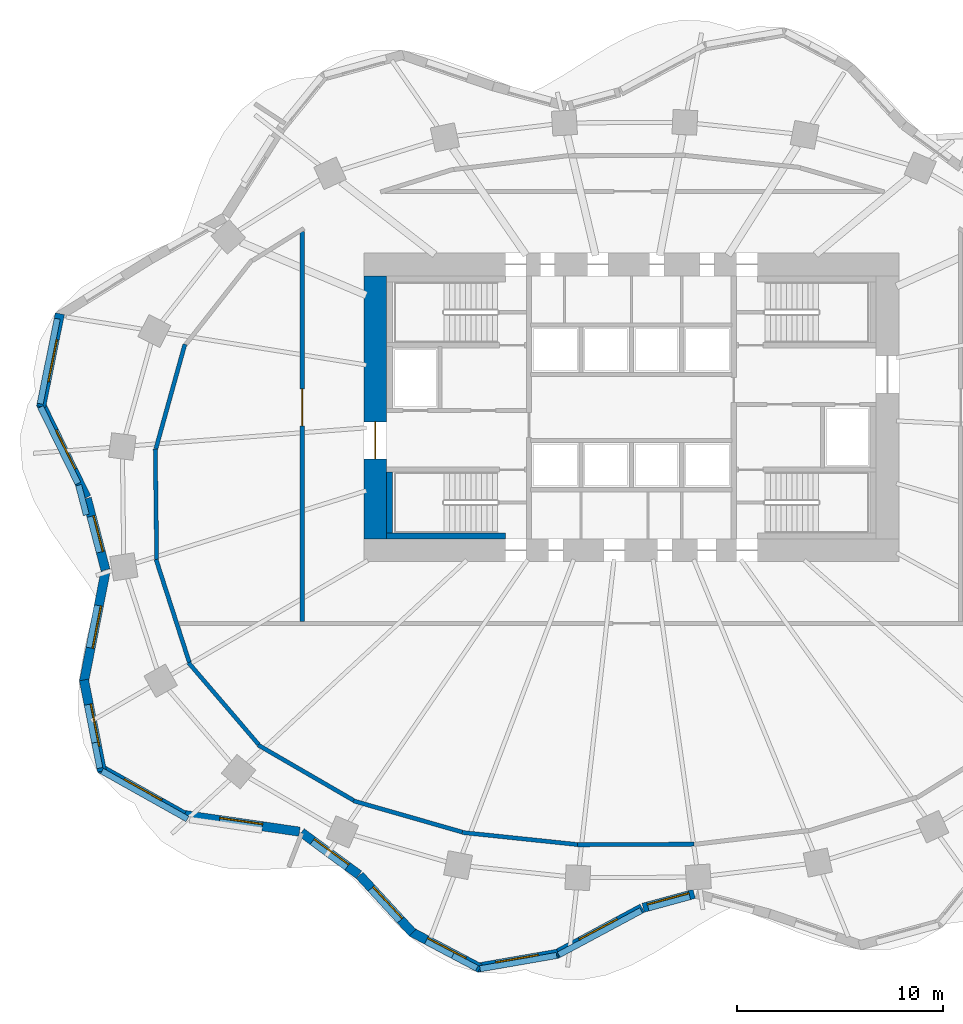
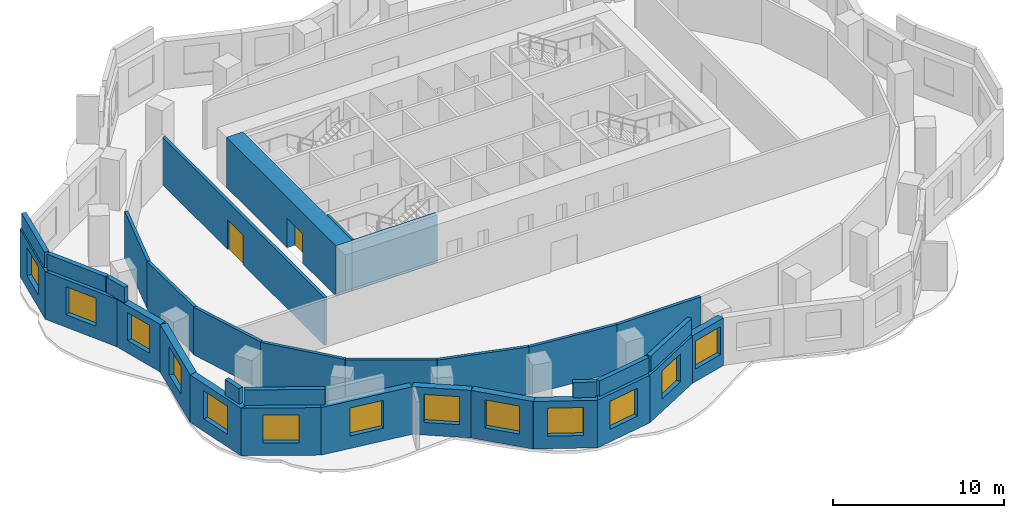
# One storey, part 3 of 8: 33 walls, 13 windows, 2 doors, 15 openings.
"""IFC4 building model written with IfcOpenShell, lengths in metres."""

from ifc_helpers import new_model, si_unit, direction, frame, frame_2d, origin, place, context, subcontext, project, spatial, rectangle, extrude, material, layer, layer_set, type_object, element, fill, save


model = new_model("IFC4")

# Units and contexts
model_context = context("Model", 3, precision=1e-05, world=origin(), true_north=direction((0.0, 1.0)))
body_context = subcontext(model_context, "Body", "Model", "MODEL_VIEW")
ifc_project = project(units=[si_unit("LENGTHUNIT", "METRE"), si_unit("AREAUNIT", "SQUARE_METRE"), si_unit("VOLUMEUNIT", "CUBIC_METRE"), si_unit("PLANEANGLEUNIT", "RADIAN"), si_unit("MASSUNIT", "GRAM", prefix="KILO")], contexts=[model_context])

# Site, building, storey
site_placement = place(None, origin())
site = spatial("IfcSite", under=ifc_project, at=site_placement, CompositionType="ELEMENT")
building_placement = place(site_placement, origin())
building = spatial("IfcBuilding", under=site, at=building_placement, Name="Rubra Terraces Tower", CompositionType="ELEMENT")
storey_placement = place(building_placement, frame((0.0, 0.0, 106.800048828125)))
storey = spatial("IfcBuildingStorey", under=building, at=storey_placement, Name="L25", CompositionType="ELEMENT", Elevation=106.800048828125)

# Wall, opening, window
ifc_material_1 = material(Name="Brick masonry red-brown", Category="masonry")
ifc_layer_1 = layer(ifc_material_1, 0.449951171875)
ifc_layer_set_1 = layer_set([ifc_layer_1], Name="Brick masonry red-brown")
wall_type_1 = type_object("IfcWallType", Name="Brick facade wall 450", PredefinedType="SOLIDWALL", material=ifc_layer_set_1)
wall_1_placement = place(storey_placement, frame((-27.779541015625, 9.053466796875, 0.0), z_axis=(0.0, 0.0, 1.0), x_axis=(-0.197796229105, -0.980243159503, 0.0)))
wall_1 = element("IfcWall", 1, at=wall_1_placement, inside=storey, type_object=wall_type_1, Name="Facade wall L25 bay 19", PredefinedType="SOLIDWALL", context=body_context, shape_type="SweptSolid", body=[
    extrude(rectangle(XDim=4.610107421875, YDim=0.449951171875, at=frame_2d((2.30517578125, 0.0))), origin(), (0.0, 0.0, 1.0), 3.39990234375),
])
opening_1_placement = place(wall_1_placement, frame((1.255126953125, 0.0, 0.89990234375)))
opening_1 = element("IfcOpeningElement", 2, at=opening_1_placement, cuts=wall_1, Name="Opening W1", PredefinedType="OPENING", context=body_context, shape_type="SweptSolid", body=[
    extrude(rectangle(XDim=2.10009765625, YDim=2.0, at=frame_2d((1.050048828125, 1.0))), frame((0.0, 0.23486328125, 0.0), z_axis=(0.0, -1.0, 0.0), x_axis=(1.0, 0.0, 0.0)), (0.0, 0.0, 1.0), 0.469970703125),
])
ifc_material_2 = material(Name="Clear glass in aluminium frame", Category="aluminium")
window_type_1 = type_object("IfcWindowType", Name="Fixed deep-set window 2100 x 2000", PartitioningType="SINGLE_PANEL", PredefinedType="WINDOW", material=ifc_material_2)
window_1_placement = place(opening_1_placement, origin())
window_1 = element("IfcWindow", 3, at=window_1_placement, inside=storey, type_object=window_type_1, Name="Window L25 bay 19", OverallHeight=2.0, OverallWidth=2.10009765625, PartitioningType="SINGLE_PANEL", PredefinedType="WINDOW", context=body_context, shape_type="SweptSolid", body=[
    extrude(rectangle(XDim=2.10009765625, YDim=2.0, at=frame_2d((1.050048828125, 1.0))), frame((0.0, 0.135009765625, 0.0), z_axis=(0.0, -1.0, 0.0), x_axis=(1.0, 0.0, 0.0)), (0.0, 0.0, 1.0), 0.06005859375),
])
fill(opening_1, window_1)

wall_2_placement = place(storey_placement, frame((-28.70703125, 4.672119140625, 0.0), z_axis=(0.0, 0.0, 1.0), x_axis=(0.439053549989, -0.898460895221, 0.0)))
wall_2 = element("IfcWall", 4, at=wall_2_placement, inside=storey, type_object=wall_type_1, Name="Facade wall L25 bay 20", PredefinedType="SOLIDWALL", context=body_context, shape_type="SweptSolid", body=[
    extrude(rectangle(XDim=5.061767578125, YDim=0.449951171875, at=frame_2d((2.53076171875, 0.0))), origin(), (0.0, 0.0, 1.0), 3.39990234375),
])
opening_2_placement = place(wall_2_placement, frame((1.48095703125, 0.0, 0.89990234375)))
opening_2 = element("IfcOpeningElement", 5, at=opening_2_placement, cuts=wall_2, Name="Opening W1", PredefinedType="OPENING", context=body_context, shape_type="SweptSolid", body=[
    extrude(rectangle(XDim=2.10009765625, YDim=2.0, at=frame_2d((1.050048828125, 1.0))), frame((0.0, 0.23486328125, 0.0), z_axis=(0.0, -1.0, 0.0), x_axis=(1.0, 0.0, 0.0)), (0.0, 0.0, 1.0), 0.469970703125),
])
window_2_placement = place(opening_2_placement, origin())
window_2 = element("IfcWindow", 6, at=window_2_placement, inside=storey, type_object=window_type_1, Name="Window L25 bay 20", OverallHeight=2.0, OverallWidth=2.10009765625, PartitioningType="SINGLE_PANEL", PredefinedType="WINDOW", context=body_context, shape_type="SweptSolid", body=[
    extrude(rectangle(XDim=2.10009765625, YDim=2.0, at=frame_2d((1.050048828125, 1.0))), frame((0.0, 0.135009765625, 0.0), z_axis=(0.0, -1.0, 0.0), x_axis=(1.0, 0.0, 0.0)), (0.0, 0.0, 1.0), 0.06005859375),
])
fill(opening_2, window_2)

wall_3_placement = place(storey_placement, frame((-26.469482421875, 0.0791015625, 0.0), z_axis=(0.0, 0.0, 1.0), x_axis=(0.252446779859, -0.967610780913, 0.0)))
wall_3 = element("IfcWall", 7, at=wall_3_placement, inside=storey, type_object=wall_type_1, Name="Facade wall L25 bay 21", PredefinedType="SOLIDWALL", context=body_context, shape_type="SweptSolid", body=[
    extrude(rectangle(XDim=3.5947265625, YDim=0.449951171875, at=frame_2d((1.79736328125, 0.0))), origin(), (0.0, 0.0, 1.0), 3.39990234375),
])
opening_3_placement = place(wall_3_placement, frame((0.897216796875, 0.0, 0.89990234375)))
opening_3 = element("IfcOpeningElement", 8, at=opening_3_placement, cuts=wall_3, Name="Opening W6", PredefinedType="OPENING", context=body_context, shape_type="SweptSolid", body=[
    extrude(rectangle(XDim=1.800048828125, YDim=2.0, at=frame_2d((0.89990234375, 1.0))), frame((0.0, 0.23486328125, 0.0), z_axis=(0.0, -1.0, 0.0), x_axis=(1.0, 0.0, 0.0)), (0.0, 0.0, 1.0), 0.469970703125),
])
window_type_2 = type_object("IfcWindowType", Name="Fixed deep-set window at wind fin 1800 x 2000", PartitioningType="SINGLE_PANEL", PredefinedType="WINDOW", material=ifc_material_2)
window_3_placement = place(opening_3_placement, origin())
window_3 = element("IfcWindow", 9, at=window_3_placement, inside=storey, type_object=window_type_2, Name="Window L25 bay 21", OverallHeight=2.0, OverallWidth=1.800048828125, PartitioningType="SINGLE_PANEL", PredefinedType="WINDOW", context=body_context, shape_type="SweptSolid", body=[
    extrude(rectangle(XDim=1.800048828125, YDim=2.0, at=frame_2d((0.89990234375, 1.0))), frame((0.0, 0.135009765625, 0.0), z_axis=(0.0, -1.0, 0.0), x_axis=(1.0, 0.0, 0.0)), (0.0, 0.0, 1.0), 0.06005859375),
])
fill(opening_3, window_3)

wall_4_placement = place(storey_placement, frame((-25.561279296875, -3.490478515625, 0.0), z_axis=(0.0, 0.0, 1.0), x_axis=(-0.192494026297, -0.981298145234, 0.0)))
wall_4 = element("IfcWall", 10, at=wall_4_placement, inside=storey, type_object=wall_type_1, Name="Facade wall L25 bay 22", PredefinedType="SOLIDWALL", context=body_context, shape_type="SweptSolid", body=[
    extrude(rectangle(XDim=5.446044921875, YDim=0.449951171875, at=frame_2d((2.72314453125, 0.0))), origin(), (0.0, 0.0, 1.0), 3.39990234375),
])
opening_4_placement = place(wall_4_placement, frame((1.673095703125, 0.0, 0.89990234375)))
opening_4 = element("IfcOpeningElement", 11, at=opening_4_placement, cuts=wall_4, Name="Opening W1", PredefinedType="OPENING", context=body_context, shape_type="SweptSolid", body=[
    extrude(rectangle(XDim=2.10009765625, YDim=2.0, at=frame_2d((1.050048828125, 1.0))), frame((0.0, 0.23486328125, 0.0), z_axis=(0.0, -1.0, 0.0), x_axis=(1.0, 0.0, 0.0)), (0.0, 0.0, 1.0), 0.469970703125),
])
window_4_placement = place(opening_4_placement, origin())
window_4 = element("IfcWindow", 12, at=window_4_placement, inside=storey, type_object=window_type_1, Name="Window L25 bay 22", OverallHeight=2.0, OverallWidth=2.10009765625, PartitioningType="SINGLE_PANEL", PredefinedType="WINDOW", context=body_context, shape_type="SweptSolid", body=[
    extrude(rectangle(XDim=2.10009765625, YDim=2.0, at=frame_2d((1.050048828125, 1.0))), frame((0.0, 0.135009765625, 0.0), z_axis=(0.0, -1.0, 0.0), x_axis=(1.0, 0.0, 0.0)), (0.0, 0.0, 1.0), 0.06005859375),
])
fill(opening_4, window_4)

wall_5_placement = place(storey_placement, frame((-26.609619140625, -8.747802734375, 0.0), z_axis=(0.0, 0.0, 1.0), x_axis=(0.193923166402, -0.981016720312, 0.0)))
wall_5 = element("IfcWall", 13, at=wall_5_placement, inside=storey, type_object=wall_type_1, Name="Facade wall L25 bay 23", PredefinedType="SOLIDWALL", context=body_context, shape_type="SweptSolid", body=[
    extrude(rectangle(XDim=4.518310546875, YDim=0.449951171875, at=frame_2d((2.25927734375, 0.0))), origin(), (0.0, 0.0, 1.0), 3.39990234375),
])
opening_5_placement = place(wall_5_placement, frame((1.209228515625, 0.0, 0.89990234375)))
opening_5 = element("IfcOpeningElement", 14, at=opening_5_placement, cuts=wall_5, Name="Opening W1", PredefinedType="OPENING", context=body_context, shape_type="SweptSolid", body=[
    extrude(rectangle(XDim=2.10009765625, YDim=2.0, at=frame_2d((1.050048828125, 1.0))), frame((0.0, 0.23486328125, 0.0), z_axis=(0.0, -1.0, 0.0), x_axis=(1.0, 0.0, 0.0)), (0.0, 0.0, 1.0), 0.469970703125),
])
window_5_placement = place(opening_5_placement, origin())
window_5 = element("IfcWindow", 15, at=window_5_placement, inside=storey, type_object=window_type_1, Name="Window L25 bay 23", OverallHeight=2.0, OverallWidth=2.10009765625, PartitioningType="SINGLE_PANEL", PredefinedType="WINDOW", context=body_context, shape_type="SweptSolid", body=[
    extrude(rectangle(XDim=2.10009765625, YDim=2.0, at=frame_2d((1.050048828125, 1.0))), frame((0.0, 0.135009765625, 0.0), z_axis=(0.0, -1.0, 0.0), x_axis=(1.0, 0.0, 0.0)), (0.0, 0.0, 1.0), 0.06005859375),
])
fill(opening_5, window_5)

wall_6_placement = place(storey_placement, frame((-25.843994140625, -13.027587890625, 0.0), z_axis=(0.0, 0.0, 1.0), x_axis=(0.872346398261, -0.488888291373, 0.0)))
wall_6 = element("IfcWall", 16, at=wall_6_placement, inside=storey, type_object=wall_type_1, Name="Facade wall L25 bay 24", PredefinedType="SOLIDWALL", context=body_context, shape_type="SweptSolid", body=[
    extrude(rectangle(XDim=4.696044921875, YDim=0.449951171875, at=frame_2d((2.34814453125, 0.0))), origin(), (0.0, 0.0, 1.0), 3.39990234375),
])
opening_6_placement = place(wall_6_placement, frame((1.298095703125, 0.0, 0.89990234375)))
opening_6 = element("IfcOpeningElement", 17, at=opening_6_placement, cuts=wall_6, Name="Opening W1", PredefinedType="OPENING", context=body_context, shape_type="SweptSolid", body=[
    extrude(rectangle(XDim=2.10009765625, YDim=2.0, at=frame_2d((1.050048828125, 1.0))), frame((0.0, 0.23486328125, 0.0), z_axis=(0.0, -1.0, 0.0), x_axis=(1.0, 0.0, 0.0)), (0.0, 0.0, 1.0), 0.469970703125),
])
window_6_placement = place(opening_6_placement, origin())
window_6 = element("IfcWindow", 18, at=window_6_placement, inside=storey, type_object=window_type_1, Name="Window L25 bay 24", OverallHeight=2.0, OverallWidth=2.10009765625, PartitioningType="SINGLE_PANEL", PredefinedType="WINDOW", context=body_context, shape_type="SweptSolid", body=[
    extrude(rectangle(XDim=2.10009765625, YDim=2.0, at=frame_2d((1.050048828125, 1.0))), frame((0.0, 0.135009765625, 0.0), z_axis=(0.0, -1.0, 0.0), x_axis=(1.0, 0.0, 0.0)), (0.0, 0.0, 1.0), 0.06005859375),
])
fill(opening_6, window_6)

wall_7_placement = place(storey_placement, frame((-21.8251953125, -15.297119140625, 0.0), z_axis=(0.0, 0.0, 1.0), x_axis=(0.98971474215, -0.143054986527, 0.0)))
wall_7 = element("IfcWall", 19, at=wall_7_placement, inside=storey, type_object=wall_type_1, Name="Facade wall L25 bay 25", PredefinedType="SOLIDWALL", context=body_context, shape_type="SweptSolid", body=[
    extrude(rectangle(XDim=5.7529296875, YDim=0.449951171875, at=frame_2d((2.87646484375, 0.0))), origin(), (0.0, 0.0, 1.0), 3.39990234375),
])
opening_7_placement = place(wall_7_placement, frame((1.826416015625, 0.0, 0.89990234375)))
opening_7 = element("IfcOpeningElement", 20, at=opening_7_placement, cuts=wall_7, Name="Opening W1", PredefinedType="OPENING", context=body_context, shape_type="SweptSolid", body=[
    extrude(rectangle(XDim=2.10009765625, YDim=2.0, at=frame_2d((1.050048828125, 1.0))), frame((0.0, 0.23486328125, 0.0), z_axis=(0.0, -1.0, 0.0), x_axis=(1.0, 0.0, 0.0)), (0.0, 0.0, 1.0), 0.469970703125),
])
window_7_placement = place(opening_7_placement, origin())
window_7 = element("IfcWindow", 21, at=window_7_placement, inside=storey, type_object=window_type_1, Name="Window L25 bay 25", OverallHeight=2.0, OverallWidth=2.10009765625, PartitioningType="SINGLE_PANEL", PredefinedType="WINDOW", context=body_context, shape_type="SweptSolid", body=[
    extrude(rectangle(XDim=2.10009765625, YDim=2.0, at=frame_2d((1.050048828125, 1.0))), frame((0.0, 0.135009765625, 0.0), z_axis=(0.0, -1.0, 0.0), x_axis=(1.0, 0.0, 0.0)), (0.0, 0.0, 1.0), 0.06005859375),
])
fill(opening_7, window_7)

wall_8_placement = place(storey_placement, frame((-16.03564453125, -16.15771484375, 0.0), z_axis=(0.0, 0.0, 1.0), x_axis=(0.805181432967, -0.593028549064, 0.0)))
wall_8 = element("IfcWall", 22, at=wall_8_placement, inside=storey, type_object=wall_type_1, Name="Facade wall L25 bay 26", PredefinedType="SOLIDWALL", context=body_context, shape_type="SweptSolid", body=[
    extrude(rectangle(XDim=3.468505859375, YDim=0.449951171875, at=frame_2d((1.734375, 0.0))), origin(), (0.0, 0.0, 1.0), 3.39990234375),
])
opening_8_placement = place(wall_8_placement, frame((0.684326171875, 0.0, 0.89990234375)))
opening_8 = element("IfcOpeningElement", 23, at=opening_8_placement, cuts=wall_8, Name="Opening W1", PredefinedType="OPENING", context=body_context, shape_type="SweptSolid", body=[
    extrude(rectangle(XDim=2.10009765625, YDim=2.0, at=frame_2d((1.050048828125, 1.0))), frame((0.0, 0.23486328125, 0.0), z_axis=(0.0, -1.0, 0.0), x_axis=(1.0, 0.0, 0.0)), (0.0, 0.0, 1.0), 0.469970703125),
])
window_8_placement = place(opening_8_placement, origin())
window_8 = element("IfcWindow", 24, at=window_8_placement, inside=storey, type_object=window_type_1, Name="Window L25 bay 26", OverallHeight=2.0, OverallWidth=2.10009765625, PartitioningType="SINGLE_PANEL", PredefinedType="WINDOW", context=body_context, shape_type="SweptSolid", body=[
    extrude(rectangle(XDim=2.10009765625, YDim=2.0, at=frame_2d((1.050048828125, 1.0))), frame((0.0, 0.135009765625, 0.0), z_axis=(0.0, -1.0, 0.0), x_axis=(1.0, 0.0, 0.0)), (0.0, 0.0, 1.0), 0.06005859375),
])
fill(opening_8, window_8)

wall_9_placement = place(storey_placement, frame((-13.20947265625, -18.242919921875, 0.0), z_axis=(0.0, 0.0, 1.0), x_axis=(0.677612152497, -0.735419452278, 0.0)))
wall_9 = element("IfcWall", 25, at=wall_9_placement, inside=storey, type_object=wall_type_1, Name="Facade wall L25 bay 27", PredefinedType="SOLIDWALL", context=body_context, shape_type="SweptSolid", body=[
    extrude(rectangle(XDim=3.796875, YDim=0.449951171875, at=frame_2d((1.8984375, 0.0))), origin(), (0.0, 0.0, 1.0), 3.39990234375),
])
opening_9_placement = place(wall_9_placement, frame((0.848388671875, 0.0, 0.89990234375)))
opening_9 = element("IfcOpeningElement", 26, at=opening_9_placement, cuts=wall_9, Name="Opening W1", PredefinedType="OPENING", context=body_context, shape_type="SweptSolid", body=[
    extrude(rectangle(XDim=2.10009765625, YDim=2.0, at=frame_2d((1.050048828125, 1.0))), frame((0.0, 0.23486328125, 0.0), z_axis=(0.0, -1.0, 0.0), x_axis=(1.0, 0.0, 0.0)), (0.0, 0.0, 1.0), 0.469970703125),
])
window_9_placement = place(opening_9_placement, origin())
window_9 = element("IfcWindow", 27, at=window_9_placement, inside=storey, type_object=window_type_1, Name="Window L25 bay 27", OverallHeight=2.0, OverallWidth=2.10009765625, PartitioningType="SINGLE_PANEL", PredefinedType="WINDOW", context=body_context, shape_type="SweptSolid", body=[
    extrude(rectangle(XDim=2.10009765625, YDim=2.0, at=frame_2d((1.050048828125, 1.0))), frame((0.0, 0.135009765625, 0.0), z_axis=(0.0, -1.0, 0.0), x_axis=(1.0, 0.0, 0.0)), (0.0, 0.0, 1.0), 0.06005859375),
])
fill(opening_9, window_9)

wall_10_placement = place(storey_placement, frame((-10.692626953125, -20.9931640625, 0.0), z_axis=(0.0, 0.0, 1.0), x_axis=(0.883817790726, -0.46783128668, 0.0)))
wall_10 = element("IfcWall", 28, at=wall_10_placement, inside=storey, type_object=wall_type_1, Name="Facade wall L25 bay 28", PredefinedType="SOLIDWALL", context=body_context, shape_type="SweptSolid", body=[
    extrude(rectangle(XDim=3.776611328125, YDim=0.449951171875, at=frame_2d((1.88818359375, 0.0))), origin(), (0.0, 0.0, 1.0), 3.39990234375),
])
opening_10_placement = place(wall_10_placement, frame((0.83837890625, 0.0, 0.89990234375)))
opening_10 = element("IfcOpeningElement", 29, at=opening_10_placement, cuts=wall_10, Name="Opening W1", PredefinedType="OPENING", context=body_context, shape_type="SweptSolid", body=[
    extrude(rectangle(XDim=2.10009765625, YDim=2.0, at=frame_2d((1.050048828125, 1.0))), frame((0.0, 0.23486328125, 0.0), z_axis=(0.0, -1.0, 0.0), x_axis=(1.0, 0.0, 0.0)), (0.0, 0.0, 1.0), 0.469970703125),
])
window_10_placement = place(opening_10_placement, origin())
window_10 = element("IfcWindow", 30, at=window_10_placement, inside=storey, type_object=window_type_1, Name="Window L25 bay 28", OverallHeight=2.0, OverallWidth=2.10009765625, PartitioningType="SINGLE_PANEL", PredefinedType="WINDOW", context=body_context, shape_type="SweptSolid", body=[
    extrude(rectangle(XDim=2.10009765625, YDim=2.0, at=frame_2d((1.050048828125, 1.0))), frame((0.0, 0.135009765625, 0.0), z_axis=(0.0, -1.0, 0.0), x_axis=(1.0, 0.0, 0.0)), (0.0, 0.0, 1.0), 0.06005859375),
])
fill(opening_10, window_10)

wall_11_placement = place(storey_placement, frame((-7.49853515625, -22.7373046875, 0.0), z_axis=(0.0, 0.0, 1.0), x_axis=(0.98521220506, 0.171338585849, 0.0)))
wall_11 = element("IfcWall", 31, at=wall_11_placement, inside=storey, type_object=wall_type_1, Name="Facade wall L25 bay 29", PredefinedType="SOLIDWALL", context=body_context, shape_type="SweptSolid", body=[
    extrude(rectangle(XDim=3.979736328125, YDim=0.449951171875, at=frame_2d((1.98974609375, 0.0))), origin(), (0.0, 0.0, 1.0), 3.39990234375),
])
opening_11_placement = place(wall_11_placement, frame((0.93994140625, 0.0, 0.89990234375)))
opening_11 = element("IfcOpeningElement", 32, at=opening_11_placement, cuts=wall_11, Name="Opening W1", PredefinedType="OPENING", context=body_context, shape_type="SweptSolid", body=[
    extrude(rectangle(XDim=2.10009765625, YDim=2.0, at=frame_2d((1.050048828125, 1.0))), frame((0.0, 0.23486328125, 0.0), z_axis=(0.0, -1.0, 0.0), x_axis=(1.0, 0.0, 0.0)), (0.0, 0.0, 1.0), 0.469970703125),
])
window_11_placement = place(opening_11_placement, origin())
window_11 = element("IfcWindow", 33, at=window_11_placement, inside=storey, type_object=window_type_1, Name="Window L25 bay 29", OverallHeight=2.0, OverallWidth=2.10009765625, PartitioningType="SINGLE_PANEL", PredefinedType="WINDOW", context=body_context, shape_type="SweptSolid", body=[
    extrude(rectangle(XDim=2.10009765625, YDim=2.0, at=frame_2d((1.050048828125, 1.0))), frame((0.0, 0.135009765625, 0.0), z_axis=(0.0, -1.0, 0.0), x_axis=(1.0, 0.0, 0.0)), (0.0, 0.0, 1.0), 0.06005859375),
])
fill(opening_11, window_11)

wall_12_placement = place(storey_placement, frame((-3.6455078125, -22.07861328125, 0.0), z_axis=(0.0, 0.0, 1.0), x_axis=(0.881279133897, 0.472596115259, 0.0)))
wall_12 = element("IfcWall", 34, at=wall_12_placement, inside=storey, type_object=wall_type_1, Name="Facade wall L25 bay 30", PredefinedType="SOLIDWALL", context=body_context, shape_type="SweptSolid", body=[
    extrude(rectangle(XDim=4.736572265625, YDim=0.449951171875, at=frame_2d((2.3681640625, 0.0))), origin(), (0.0, 0.0, 1.0), 3.39990234375),
])
opening_12_placement = place(wall_12_placement, frame((1.318115234375, 0.0, 0.89990234375)))
opening_12 = element("IfcOpeningElement", 35, at=opening_12_placement, cuts=wall_12, Name="Opening W1", PredefinedType="OPENING", context=body_context, shape_type="SweptSolid", body=[
    extrude(rectangle(XDim=2.10009765625, YDim=2.0, at=frame_2d((1.050048828125, 1.0))), frame((0.0, 0.23486328125, 0.0), z_axis=(0.0, -1.0, 0.0), x_axis=(1.0, 0.0, 0.0)), (0.0, 0.0, 1.0), 0.469970703125),
])
window_12_placement = place(opening_12_placement, origin())
window_12 = element("IfcWindow", 36, at=window_12_placement, inside=storey, type_object=window_type_1, Name="Window L25 bay 30", OverallHeight=2.0, OverallWidth=2.10009765625, PartitioningType="SINGLE_PANEL", PredefinedType="WINDOW", context=body_context, shape_type="SweptSolid", body=[
    extrude(rectangle(XDim=2.10009765625, YDim=2.0, at=frame_2d((1.050048828125, 1.0))), frame((0.0, 0.135009765625, 0.0), z_axis=(0.0, -1.0, 0.0), x_axis=(1.0, 0.0, 0.0)), (0.0, 0.0, 1.0), 0.06005859375),
])
fill(opening_12, window_12)

wall_13_placement = place(storey_placement, frame((0.576171875, -19.8212890625, 0.0), z_axis=(0.0, 0.0, 1.0), x_axis=(0.965009398019, 0.262215296532, 0.0)))
wall_13 = element("IfcWall", 37, at=wall_13_placement, inside=storey, type_object=wall_type_1, Name="Facade wall L25 bay 31", PredefinedType="SOLIDWALL", context=body_context, shape_type="SweptSolid", body=[
    extrude(rectangle(XDim=2.565185546875, YDim=0.449951171875, at=frame_2d((1.28271484375, 0.0))), origin(), (0.0, 0.0, 1.0), 3.39990234375),
])
opening_13_placement = place(wall_13_placement, frame((0.232666015625, 0.0, 0.89990234375)))
opening_13 = element("IfcOpeningElement", 38, at=opening_13_placement, cuts=wall_13, Name="Opening W1", PredefinedType="OPENING", context=body_context, shape_type="SweptSolid", body=[
    extrude(rectangle(XDim=2.10009765625, YDim=2.0, at=frame_2d((1.050048828125, 1.0))), frame((0.0, 0.23486328125, 0.0), z_axis=(0.0, -1.0, 0.0), x_axis=(1.0, 0.0, 0.0)), (0.0, 0.0, 1.0), 0.469970703125),
])
window_13_placement = place(opening_13_placement, origin())
window_13 = element("IfcWindow", 39, at=window_13_placement, inside=storey, type_object=window_type_1, Name="Window L25 bay 31", OverallHeight=2.0, OverallWidth=2.10009765625, PartitioningType="SINGLE_PANEL", PredefinedType="WINDOW", context=body_context, shape_type="SweptSolid", body=[
    extrude(rectangle(XDim=2.10009765625, YDim=2.0, at=frame_2d((1.050048828125, 1.0))), frame((0.0, 0.135009765625, 0.0), z_axis=(0.0, -1.0, 0.0), x_axis=(1.0, 0.0, 0.0)), (0.0, 0.0, 1.0), 0.06005859375),
])
fill(opening_13, window_13)

# Walls
ifc_layer_2 = layer(ifc_material_1, 0.300048828125)
ifc_layer_set_2 = layer_set([ifc_layer_2], Name="Brick masonry red-brown")
wall_type_2 = type_object("IfcWallType", Name="Brick parapet 300", PredefinedType="PARAPET", material=ifc_layer_set_2)
wall_14_placement = place(storey_placement, frame((-27.90478515625, 8.8115234375, 3.599853515625), z_axis=(0.0, 0.0, 1.0), x_axis=(-0.197841673862, -0.980233988435, 0.0)))
element("IfcWall", 40, at=wall_14_placement, inside=storey, type_object=wall_type_2, Name="Parapet L25 bay 19", PredefinedType="PARAPET", context=body_context, shape_type="SweptSolid", body=[
    extrude(rectangle(XDim=4.216552734375, YDim=0.300048828125, at=frame_2d((2.1083984375, 0.0))), origin(), (0.0, 0.0, 1.0), 1.10009765625),
])
wall_15_placement = place(storey_placement, frame((-28.719482421875, 4.5263671875, 3.599853515625), z_axis=(0.0, 0.0, 1.0), x_axis=(0.439134033243, -0.898421560765, 0.0)))
element("IfcWall", 41, at=wall_15_placement, inside=storey, type_object=wall_type_2, Name="Parapet L25 bay 20", PredefinedType="PARAPET", context=body_context, shape_type="SweptSolid", body=[
    extrude(rectangle(XDim=4.14306640625, YDim=0.300048828125, at=frame_2d((2.071533203125, 0.0))), origin(), (0.0, 0.0, 1.0), 1.10009765625),
])
wall_16_placement = place(storey_placement, frame((-26.869140625, 0.72021484375, 3.599853515625), z_axis=(0.0, 0.0, 1.0), x_axis=(0.252455198803, -0.967608584396, 0.0)))
element("IfcWall", 42, at=wall_16_placement, inside=storey, type_object=wall_type_2, Name="Parapet L25 bay 21", PredefinedType="PARAPET", context=body_context, shape_type="SweptSolid", body=[
    extrude(rectangle(XDim=1.4921875, YDim=0.300048828125, at=frame_2d((0.74609375, 0.0))), origin(), (0.0, 0.0, 1.0), 1.10009765625),
])
wall_17_placement = place(storey_placement, frame((-26.084228515625, -11.791748046875, 3.599853515625), z_axis=(0.0, 0.0, 1.0), x_axis=(0.193846183911, -0.981031934742, 0.0)))
element("IfcWall", 43, at=wall_17_placement, inside=storey, type_object=wall_type_2, Name="Parapet L25 bay 23", PredefinedType="PARAPET", context=body_context, shape_type="SweptSolid", body=[
    extrude(rectangle(XDim=1.261962890625, YDim=0.300048828125, at=frame_2d((0.630859375, 0.0))), origin(), (0.0, 0.0, 1.0), 1.10009765625),
])
wall_18_placement = place(storey_placement, frame((-25.733642578125, -13.175537109375, 3.599853515625), z_axis=(0.0, 0.0, 1.0), x_axis=(0.872345142407, -0.488890532245, 0.0)))
element("IfcWall", 44, at=wall_18_placement, inside=storey, type_object=wall_type_2, Name="Parapet L25 bay 24", PredefinedType="PARAPET", context=body_context, shape_type="SweptSolid", body=[
    extrude(rectangle(XDim=4.762939453125, YDim=0.300048828125, at=frame_2d((2.38134765625, 0.0))), origin(), (0.0, 0.0, 1.0), 1.10009765625),
])
wall_19_placement = place(storey_placement, frame((-8.681640625, -22.142578125, 3.599853515625), z_axis=(0.0, 0.0, 1.0), x_axis=(0.883787916347, -0.467887720419, 0.0)))
element("IfcWall", 45, at=wall_19_placement, inside=storey, type_object=wall_type_2, Name="Parapet L25 bay 28", PredefinedType="PARAPET", context=body_context, shape_type="SweptSolid", body=[
    extrude(rectangle(XDim=1.3291015625, YDim=0.300048828125, at=frame_2d((0.66455078125, 0.0))), origin(), (0.0, 0.0, 1.0), 1.10009765625),
])
wall_20_placement = place(storey_placement, frame((-7.35498046875, -22.78857421875, 3.599853515625), z_axis=(0.0, 0.0, 1.0), x_axis=(0.985197529684, 0.171422949176, 0.0)))
element("IfcWall", 46, at=wall_20_placement, inside=storey, type_object=wall_type_2, Name="Parapet L25 bay 29", PredefinedType="PARAPET", context=body_context, shape_type="SweptSolid", body=[
    extrude(rectangle(XDim=3.77978515625, YDim=0.300048828125, at=frame_2d((1.889892578125, 0.0))), origin(), (0.0, 0.0, 1.0), 1.10009765625),
])
wall_21_placement = place(storey_placement, frame((-3.52978515625, -22.105712890625, 3.599853515625), z_axis=(0.0, 0.0, 1.0), x_axis=(0.881258931682, 0.472633785643, 0.0)))
element("IfcWall", 47, at=wall_21_placement, inside=storey, type_object=wall_type_2, Name="Parapet L25 bay 30", PredefinedType="PARAPET", context=body_context, shape_type="SweptSolid", body=[
    extrude(rectangle(XDim=4.55029296875, YDim=0.300048828125, at=frame_2d((2.275146484375, 0.0))), origin(), (0.0, 0.0, 1.0), 1.10009765625),
])

# Wall, opening, door
ifc_material_3 = material(Name="Concrete C60", Category="concrete")
ifc_layer_3 = layer(ifc_material_3, 1.10009765625)
ifc_layer_set_3 = layer_set([ifc_layer_3], Name="Concrete C60")
wall_type_3 = type_object("IfcWallType", Name="CORE WALL 1100 C60", PredefinedType="SHEAR", material=ifc_layer_set_3)
wall_22_placement = place(storey_placement, frame((-12.449951171875, -1.89990234375, 0.0), z_axis=(0.0, 0.0, 1.0), x_axis=(0.0, 1.0, 0.0)))
wall_22 = element("IfcWall", 48, at=wall_22_placement, inside=storey, type_object=wall_type_3, Name="CORE WALL W L25", PredefinedType="SHEAR", context=body_context, shape_type="SweptSolid", body=[
    extrude(rectangle(XDim=12.7998046875, YDim=1.10009765625, at=frame_2d((6.39990234375, 0.0))), origin(), (0.0, 0.0, 1.0), 3.599853515625),
])
opening_14_placement = place(wall_22_placement, frame((3.89990234375, 0.0, 0.0)))
opening_14 = element("IfcOpeningElement", 49, at=opening_14_placement, cuts=wall_22, Name="Opening L25.C01", PredefinedType="OPENING", context=body_context, shape_type="SweptSolid", body=[
    extrude(rectangle(XDim=1.800048828125, YDim=2.10009765625, at=frame_2d((0.89990234375, 1.050048828125))), frame((0.0, 0.56005859375, 0.0), z_axis=(0.0, -1.0, 0.0), x_axis=(1.0, 0.0, 0.0)), (0.0, 0.0, 1.0), 1.1201171875),
])
ifc_material_4 = material(Name="Painted steel", Category="steel")
door_type_1 = type_object("IfcDoorType", Name="Fire door 1800x2100 double", OperationType="NOTDEFINED", PredefinedType="DOOR", material=ifc_material_4)
door_1_placement = place(opening_14_placement, origin())
door_1 = element("IfcDoor", 50, at=door_1_placement, inside=storey, type_object=door_type_1, Name="Core entrance door FF1", OperationType="DOUBLE_DOOR_SINGLE_SWING", OverallHeight=2.10009765625, OverallWidth=1.800048828125, PredefinedType="DOOR", context=body_context, shape_type="SweptSolid", body=[
    extrude(rectangle(XDim=1.800048828125, YDim=2.10009765625, at=frame_2d((0.89990234375, 1.050048828125))), frame((0.0, 0.02490234375, 0.0), z_axis=(0.0, -1.0, 0.0), x_axis=(1.0, 0.0, 0.0)), (0.0, 0.0, 1.0), 0.050048828125),
])
fill(opening_14, door_1)

# Walls
ifc_material_5 = material(Name="Concrete C40", Category="concrete")
ifc_layer_4 = layer(ifc_material_5, 0.300048828125)
ifc_layer_set_4 = layer_set([ifc_layer_4], Name="Concrete C40")
wall_type_4 = type_object("IfcWallType", Name="Core lining wall 300 concrete", PredefinedType="SOLIDWALL", material=ifc_layer_set_4)
wall_23_placement = place(storey_placement, frame((-11.89990234375, -1.75, 0.0), z_axis=(0.0, 0.0, 1.0), x_axis=(1.0, 0.0, 0.0)))
element("IfcWall", 51, at=wall_23_placement, inside=storey, type_object=wall_type_4, Name="CORE LINING WALL L25", PredefinedType="SOLIDWALL", context=body_context, shape_type="SweptSolid", body=[
    extrude(rectangle(XDim=5.77978515625, YDim=0.300048828125, at=frame_2d((2.889892578125, 0.0))), origin(), (0.0, 0.0, 1.0), 3.39990234375),
])
wall_24_placement = place(storey_placement, frame((-11.75, -1.60009765625, 0.0), z_axis=(0.0, 0.0, 1.0), x_axis=(0.0, 1.0, 0.0)))
element("IfcWall", 52, at=wall_24_placement, inside=storey, type_object=wall_type_4, Name="CORE LINING WALL L25", PredefinedType="SOLIDWALL", context=body_context, shape_type="SweptSolid", body=[
    extrude(rectangle(XDim=2.9501953125, YDim=0.300048828125, at=frame_2d((1.47509765625, 0.0))), origin(), (0.0, 0.0, 1.0), 3.39990234375),
])
ifc_material_6 = material(Name="Blockwork", Category="masonry")
ifc_layer_5 = layer(ifc_material_6, 0.199951171875)
ifc_layer_set_5 = layer_set([ifc_layer_5], Name="Blockwork")
wall_type_5 = type_object("IfcWallType", Name="Corridor partition 200 blockwork", PredefinedType="PARTITIONING", material=ifc_layer_set_5)
wall_25_placement = place(storey_placement, frame((3.052978515625, -16.72998046875, 0.0), z_axis=(0.0, 0.0, 1.0), x_axis=(-0.999987762334, -0.004947239951, 0.0)))
element("IfcWall", 53, at=wall_25_placement, inside=storey, type_object=wall_type_5, Name="Partition wall", PredefinedType="PARTITIONING", context=body_context, shape_type="SweptSolid", body=[
    extrude(rectangle(XDim=5.675048828125, YDim=0.199951171875, at=frame_2d((2.83740234375, 0.0))), origin(), (0.0, 0.0, 1.0), 3.39990234375),
])
wall_26_placement = place(storey_placement, frame((-2.62109375, -16.748046875, 0.0), z_axis=(0.0, 0.0, 1.0), x_axis=(-0.99455907377, 0.104174127222, 0.0)))
element("IfcWall", 54, at=wall_26_placement, inside=storey, type_object=wall_type_5, Name="Partition wall", PredefinedType="PARTITIONING", context=body_context, shape_type="SweptSolid", body=[
    extrude(rectangle(XDim=5.62451171875, YDim=0.199951171875, at=frame_2d((2.812255859375, 0.0))), origin(), (0.0, 0.0, 1.0), 3.39990234375),
])
wall_27_placement = place(storey_placement, frame((-8.2119140625, -16.14404296875, 0.0), z_axis=(0.0, 0.0, 1.0), x_axis=(-0.961229052449, 0.275751171762, 0.0)))
element("IfcWall", 55, at=wall_27_placement, inside=storey, type_object=wall_type_5, Name="Partition wall", PredefinedType="PARTITIONING", context=body_context, shape_type="SweptSolid", body=[
    extrude(rectangle(XDim=5.5087890625, YDim=0.199951171875, at=frame_2d((2.75439453125, 0.0))), origin(), (0.0, 0.0, 1.0), 3.39990234375),
])
wall_28_placement = place(storey_placement, frame((-13.498046875, -14.60302734375, 0.0), z_axis=(0.0, 0.0, 1.0), x_axis=(-0.865099094035, 0.501600994317, 0.0)))
element("IfcWall", 56, at=wall_28_placement, inside=storey, type_object=wall_type_5, Name="Partition wall", PredefinedType="PARTITIONING", context=body_context, shape_type="SweptSolid", body=[
    extrude(rectangle(XDim=5.3671875, YDim=0.199951171875, at=frame_2d((2.68359375, 0.0))), origin(), (0.0, 0.0, 1.0), 3.39990234375),
])
wall_29_placement = place(storey_placement, frame((-18.118896484375, -11.885009765625, 0.0), z_axis=(0.0, 0.0, 1.0), x_axis=(-0.650510608515, 0.759497168006, 0.0)))
element("IfcWall", 57, at=wall_29_placement, inside=storey, type_object=wall_type_5, Name="Partition wall", PredefinedType="PARTITIONING", context=body_context, shape_type="SweptSolid", body=[
    extrude(rectangle(XDim=5.228271484375, YDim=0.199951171875, at=frame_2d((2.6142578125, 0.0))), origin(), (0.0, 0.0, 1.0), 3.39990234375),
])
wall_30_placement = place(storey_placement, frame((-21.486083984375, -7.89501953125, 0.0), z_axis=(0.0, 0.0, 1.0), x_axis=(-0.307481575482, 0.951554034587, 0.0)))
element("IfcWall", 58, at=wall_30_placement, inside=storey, type_object=wall_type_5, Name="Partition wall", PredefinedType="PARTITIONING", context=body_context, shape_type="SweptSolid", body=[
    extrude(rectangle(XDim=5.2587890625, YDim=0.199951171875, at=frame_2d((2.62939453125, 0.0))), origin(), (0.0, 0.0, 1.0), 3.39990234375),
])
wall_31_placement = place(storey_placement, frame((-23.072998046875, -2.885986328125, 0.0), z_axis=(0.0, 0.0, 1.0), x_axis=(-0.012666982201, 0.999919770563, 0.0)))
element("IfcWall", 59, at=wall_31_placement, inside=storey, type_object=wall_type_5, Name="Partition wall", PredefinedType="PARTITIONING", context=body_context, shape_type="SweptSolid", body=[
    extrude(rectangle(XDim=5.37744140625, YDim=0.199951171875, at=frame_2d((2.688720703125, 0.0))), origin(), (0.0, 0.0, 1.0), 3.39990234375),
])
wall_32_placement = place(storey_placement, frame((-23.113037109375, 2.487060546875, 0.0), z_axis=(0.0, 0.0, 1.0), x_axis=(0.267500643582, 0.963557681555, 0.0)))
element("IfcWall", 60, at=wall_32_placement, inside=storey, type_object=wall_type_5, Name="Partition wall", PredefinedType="PARTITIONING", context=body_context, shape_type="SweptSolid", body=[
    extrude(rectangle(XDim=5.275146484375, YDim=0.199951171875, at=frame_2d((2.6376953125, 0.0))), origin(), (0.0, 0.0, 1.0), 3.39990234375),
])

# Wall, opening, door
wall_33_placement = place(storey_placement, frame((-16.0, 13.047119140625, 0.0), z_axis=(0.0, 0.0, 1.0), x_axis=(0.0, -1.0, 0.0)))
wall_33 = element("IfcWall", 61, at=wall_33_placement, inside=storey, type_object=wall_type_5, Name="Partition wall", PredefinedType="PARTITIONING", context=body_context, shape_type="SweptSolid", body=[
    extrude(rectangle(XDim=18.947021484375, YDim=0.199951171875, at=frame_2d((9.4736328125, 0.0))), origin(), (0.0, 0.0, 1.0), 3.39990234375),
])
opening_15_placement = place(wall_33_placement, frame((7.64697265625, 0.0, 0.0)))
opening_15 = element("IfcOpeningElement", 62, at=opening_15_placement, cuts=wall_33, Name="Opening DB3", PredefinedType="OPENING", context=body_context, shape_type="SweptSolid", body=[
    extrude(rectangle(XDim=1.800048828125, YDim=2.10009765625, at=frame_2d((0.89990234375, 1.050048828125))), frame((0.0, 0.10986328125, 0.0), z_axis=(0.0, -1.0, 0.0), x_axis=(1.0, 0.0, 0.0)), (0.0, 0.0, 1.0), 0.219970703125),
])
door_type_2 = type_object("IfcDoorType", Name="Door 1800x2100 double", OperationType="NOTDEFINED", PredefinedType="DOOR", material=ifc_material_4)
door_2_placement = place(opening_15_placement, origin())
door_2 = element("IfcDoor", 63, at=door_2_placement, inside=storey, type_object=door_type_2, Name="Refuge area door L25-02", OperationType="DOUBLE_DOOR_SINGLE_SWING", OverallHeight=2.10009765625, OverallWidth=1.800048828125, PredefinedType="DOOR", context=body_context, shape_type="SweptSolid", body=[
    extrude(rectangle(XDim=1.800048828125, YDim=2.10009765625, at=frame_2d((0.89990234375, 1.050048828125))), frame((0.0, 0.02490234375, 0.0), z_axis=(0.0, -1.0, 0.0), x_axis=(1.0, 0.0, 0.0)), (0.0, 0.0, 1.0), 0.050048828125),
])
fill(opening_15, door_2)

save(model, "model.ifc")
